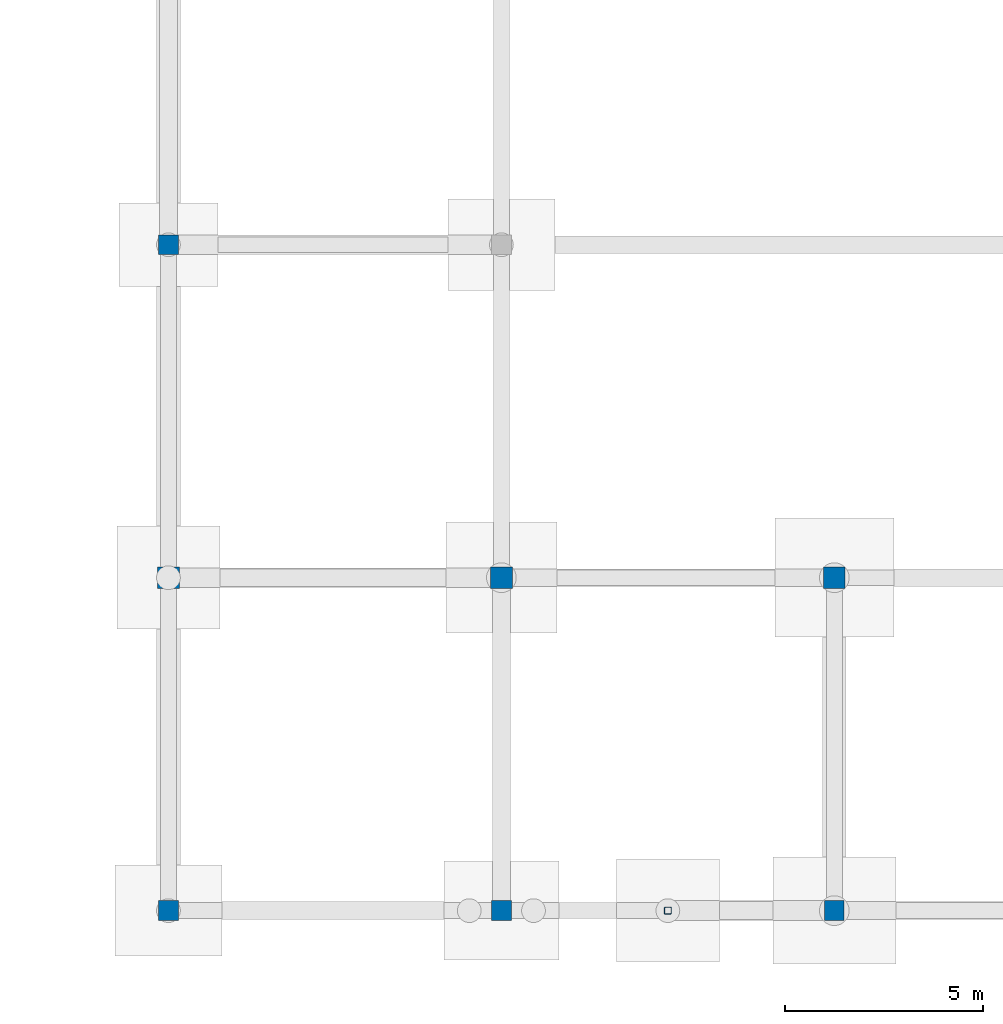
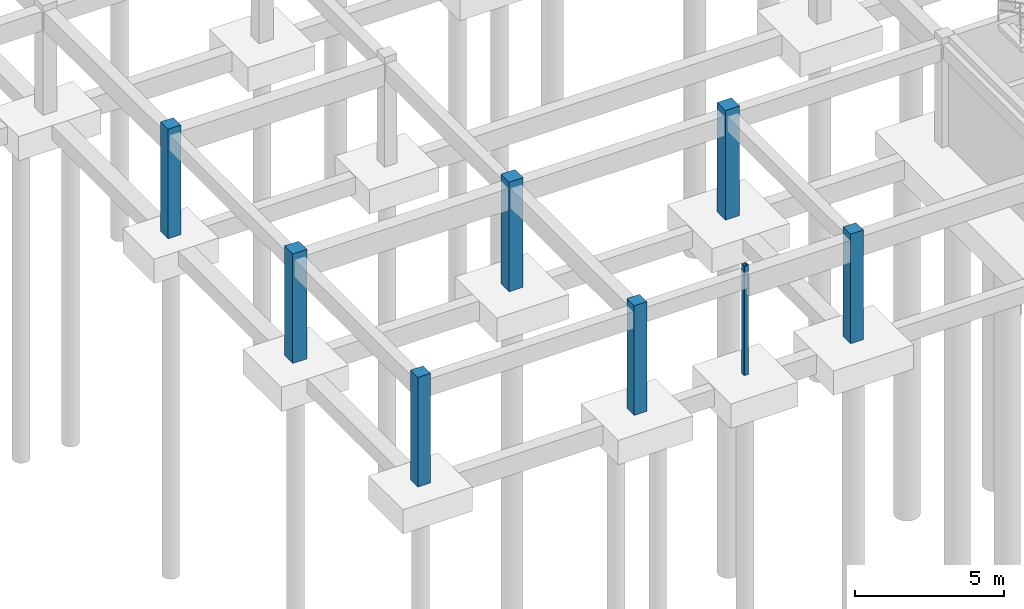
# One storey, part 12 of 43: 8 columns.
"""IFC4 building model written with IfcOpenShell, lengths in metres."""

import ifcopenshell
import ifcopenshell.guid

model = None  # the IFC model being written
_history = None  # IfcOwnerHistory: only IFC2X3 demands one
_inside = {}  # id of a spatial element -> (the spatial element, [elements in it])
_under = {}  # id of a project, library or spatial element -> (it, [spatial elements below it])
_declared = {}  # id of a project -> (the project, [libraries it declares])
_typed = {}  # id of a type object -> (the type object, [elements of that type])
_made_of = {}  # id of a material, layer set ... -> (it, [elements and type objects made of it])


def new_model(schema):
    """Start an empty IFC model of exactly this schema.

    Asked for "IFC4X3", IfcOpenShell would pick the latest addendum, in which some entities
    have other attributes; the version numbers below select the first issue.
    IFC2X3 requires an IfcOwnerHistory on every rooted entity: one is made here for all.
    """
    global model, _history
    if schema == "IFC4X3":
        model = ifcopenshell.file(schema_version=(4, 3, 0, 0))
    else:
        model = ifcopenshell.file(schema=schema)
    _inside.clear()
    _under.clear()
    _declared.clear()
    _typed.clear()
    _made_of.clear()
    _history = None
    if model.schema == "IFC2X3":
        org = make("IfcOrganization", Name="unknown")
        user = make(
            "IfcPersonAndOrganization",
            ThePerson=make("IfcPerson", FamilyName="unknown"),
            TheOrganization=org,
        )
        app = make(
            "IfcApplication",
            ApplicationDeveloper=org,
            Version="unknown",
            ApplicationFullName="unknown",
            ApplicationIdentifier="unknown",
        )
        _history = make(
            "IfcOwnerHistory",
            OwningUser=user,
            OwningApplication=app,
            ChangeAction="ADDED",
            CreationDate=0,
        )
    return model


def make(cls, **values):
    """One entity of the class cls with the attributes given. An attribute that is None is left unset."""
    return model.create_entity(
        cls, **{name: value for name, value in values.items() if value is not None}
    )


def rooted(cls, **values):
    """An entity with a GlobalId (a new one), such as an element, a storey or a relation."""
    return make(cls, GlobalId=ifcopenshell.guid.new(), OwnerHistory=_history, **values)


def si_unit(unit_type, name, prefix=None):
    """IfcSIUnit, for example si_unit("LENGTHUNIT", "METRE", prefix="MILLI")."""
    return make("IfcSIUnit", UnitType=unit_type, Prefix=prefix, Name=name)


def derived_unit(unit_type, elements):
    """IfcDerivedUnit: a product of units, each with its exponent."""
    return make(
        "IfcDerivedUnit",
        Elements=[
            make("IfcDerivedUnitElement", Unit=unit, Exponent=power)
            for unit, power in elements
        ],
        UnitType=unit_type,
    )


def assignment(units):
    """IfcUnitAssignment: the units of a project."""
    return None if units is None else make("IfcUnitAssignment", Units=units)


def point(xyz):
    """IfcCartesianPoint."""
    return None if xyz is None else make("IfcCartesianPoint", Coordinates=xyz)


def direction(xyz):
    """IfcDirection."""
    return None if xyz is None else make("IfcDirection", DirectionRatios=xyz)


def frame(location, z_axis=None, x_axis=None):
    """IfcAxis2Placement3D, a coordinate frame: its origin and axes. An axis left out is left unset."""
    return make(
        "IfcAxis2Placement3D",
        Location=point(location),
        Axis=direction(z_axis),
        RefDirection=direction(x_axis),
    )


def frame_2d(location, x_axis=None):
    """IfcAxis2Placement2D, a coordinate frame in the plane: its origin and x axis."""
    return make(
        "IfcAxis2Placement2D", Location=point(location), RefDirection=direction(x_axis)
    )


def origin():
    """The frame at (0, 0, 0) with its axes left unset."""
    return frame((0.0, 0.0, 0.0))


def origin_2d():
    """The frame at (0, 0) in the plane with its x axis left unset."""
    return frame_2d((0.0, 0.0))


def place(relative_to, where):
    """IfcLocalPlacement: puts the frame where relative to a parent placement (None: the world)."""
    return make(
        "IfcLocalPlacement", PlacementRelTo=relative_to, RelativePlacement=where
    )


def context(
    kind, dimensions, precision=None, world=None, true_north=None, identifier=None
):
    """IfcGeometricRepresentationContext, for example the 3D "Model" context."""
    return make(
        "IfcGeometricRepresentationContext",
        ContextIdentifier=identifier,
        ContextType=kind,
        CoordinateSpaceDimension=dimensions,
        Precision=precision,
        WorldCoordinateSystem=world,
        TrueNorth=true_north,
    )


def subcontext(parent, identifier, kind, view, scale=None):
    """IfcGeometricRepresentationSubContext, for example "Body" below "Model"."""
    return make(
        "IfcGeometricRepresentationSubContext",
        ContextIdentifier=identifier,
        ContextType=kind,
        ParentContext=parent,
        TargetScale=scale,
        TargetView=view,
    )


def project(units=None, contexts=None):
    """IfcProject with its units and contexts."""
    return rooted(
        "IfcProject",
        Name="project",
        RepresentationContexts=contexts,
        UnitsInContext=assignment(units),
    )


def spatial(cls, under=None, at=None, **own):
    """A site, building, storey or space (cls), placed at a placement, below another one or the project."""
    s = rooted(cls, ObjectPlacement=at, **own)
    if under is not None:
        _under.setdefault(under.id(), (under, []))[1].append(s)
    return s


def profile(cls, at=None, kind="AREA", **sizes):
    """A parametric profile (cls). Its sizes go by their IFC names, for example OverallWidth=200.0."""
    return make(cls, ProfileType=kind, Position=at, **sizes)


def rectangle(**sizes):
    """IfcRectangleProfileDef."""
    return profile("IfcRectangleProfileDef", **sizes)


def hollow_rectangle(**sizes):
    """IfcRectangleHollowProfileDef."""
    return profile("IfcRectangleHollowProfileDef", **sizes)


def extrude(swept, where, along, depth):
    """IfcExtrudedAreaSolid: the profile swept, set in the frame where, extruded along a direction by depth."""
    return make(
        "IfcExtrudedAreaSolid",
        SweptArea=swept,
        Position=where,
        ExtrudedDirection=direction(along),
        Depth=depth,
    )


def shape(context_of_items, identifier, shape_type, items):
    """IfcShapeRepresentation: the items that make up one representation, for example the "Body"."""
    return make(
        "IfcShapeRepresentation",
        ContextOfItems=context_of_items,
        RepresentationIdentifier=identifier,
        RepresentationType=shape_type,
        Items=items,
    )


def material(Name=None, Category=None):
    """IfcMaterial."""
    return make("IfcMaterial", Name=Name, Category=Category)


def material_profile(
    of_material, cross_section, Name=None, Category=None, Priority=None
):
    """IfcMaterialProfile: a cross section and its material."""
    return make(
        "IfcMaterialProfile",
        Name=Name,
        Material=of_material,
        Profile=cross_section,
        Priority=Priority,
        Category=Category,
    )


def profile_set(profiles, Name=None, composite=None):
    """IfcMaterialProfileSet."""
    return make(
        "IfcMaterialProfileSet",
        Name=Name,
        MaterialProfiles=profiles,
        CompositeProfile=composite,
    )


def made_of(thing, what):
    """Note that an element or type object is made of a material, layer set ...; save() writes the relation."""
    if what is not None:
        _made_of.setdefault(what.id(), (what, []))[1].append(thing)
    return thing


def type_object(cls, material=None, **own):
    """A type object (cls), such as IfcWallType, which elements share."""
    return made_of(rooted(cls, **own), material)


def element(
    cls,
    number,
    at=None,
    inside=None,
    cuts=None,
    type_object=None,
    material=None,
    context=None,
    identifier="Body",
    shape_type=None,
    held_by="IfcProductDefinitionShape",
    body=None,
    shapes=None,
    **own,
):
    """One element of the class cls, such as IfcWall. Its Tag is "e" and its number.

    at: its placement. inside: the storey or other place that contains it. cuts: it is an
    opening in that element (IfcRelVoidsElement). A single representation is given by context,
    identifier, shape_type and body (its items); several are given by shapes. held_by: the class
    of the entity that holds the representations. save() writes the other relations.
    """
    e = rooted(cls, Tag="e%d" % number, ObjectPlacement=at, **own)
    if body is not None:
        shapes = [shape(context, identifier, shape_type, body)]
    if shapes is not None:
        e.Representation = make(held_by, Representations=shapes)
    if inside is not None:
        _inside.setdefault(inside.id(), (inside, []))[1].append(e)
    if cuts is not None:
        rooted(
            "IfcRelVoidsElement", RelatingBuildingElement=cuts, RelatedOpeningElement=e
        )
    if type_object is not None:
        _typed.setdefault(type_object.id(), (type_object, []))[1].append(e)
    return made_of(e, material)


def aggregate(whole, parts):
    """IfcRelAggregates: a whole, such as a stair, and the parts it consists of."""
    return rooted("IfcRelAggregates", RelatingObject=whole, RelatedObjects=parts)


def save(model, path):
    """Write the relations noted so far, then the file.

    IfcRelAggregates (storeys below a building ...), IfcRelContainedInSpatialStructure (elements
    in a storey), IfcRelDefinesByType, IfcRelAssociatesMaterial and IfcRelDeclares: one each for
    every whole, place, type object, material and project.
    """
    for whole, parts in _under.values():
        aggregate(whole, parts)
    for where, things in _inside.values():
        rooted(
            "IfcRelContainedInSpatialStructure",
            RelatedElements=things,
            RelatingStructure=where,
        )
    for kind, things in _typed.values():
        rooted("IfcRelDefinesByType", RelatedObjects=things, RelatingType=kind)
    for what, things in _made_of.values():
        rooted("IfcRelAssociatesMaterial", RelatedObjects=things, RelatingMaterial=what)
    for by, libraries in _declared.values():
        rooted("IfcRelDeclares", RelatingContext=by, RelatedDefinitions=libraries)
    model.write(path)


model = new_model("IFC4")

# Units and contexts
model_context = context("Model", 3, precision=1e-05, world=origin(), true_north=direction((0.0, 1.0)))
body_context = subcontext(model_context, "Body", "Model", "MODEL_VIEW")
ifc_project = project(units=[si_unit("LENGTHUNIT", "METRE"), si_unit("AREAUNIT", "SQUARE_METRE"), si_unit("VOLUMEUNIT", "CUBIC_METRE"), si_unit("PLANEANGLEUNIT", "RADIAN"), si_unit("MASSUNIT", "GRAM", prefix="KILO"), derived_unit("THERMALTRANSMITTANCEUNIT", [(si_unit("POWERUNIT", "WATT"), 1), (si_unit("AREAUNIT", "SQUARE_METRE"), -1), (si_unit("THERMODYNAMICTEMPERATUREUNIT", "KELVIN"), -1)])], contexts=[model_context])

# Site, building, storey
site_placement = place(None, origin())
site = spatial("IfcSite", under=ifc_project, at=site_placement, CompositionType="ELEMENT")
building_placement = place(site_placement, origin())
building = spatial("IfcBuilding", under=site, at=building_placement, Name="Yasenodar Specialist Clinic", CompositionType="ELEMENT")
storey_placement = place(building_placement, frame((0.0, 0.0, -4.5)))
storey = spatial("IfcBuildingStorey", under=building, at=storey_placement, Name="B1", CompositionType="ELEMENT", Elevation=-4.5)

# Columns
ifc_material_1 = material(Name="Concrete C35/45", Category="concrete")
ifc_material_profile_1 = material_profile(ifc_material_1, rectangle(XDim=0.5, YDim=0.5, at=origin_2d()), Name="RC 500x500")
ifc_profile_set_1 = profile_set([ifc_material_profile_1], Name="Concrete C35/45")
column_type_1 = type_object("IfcColumnType", Name="COL-RC-500", PredefinedType="COLUMN", material=ifc_profile_set_1)
for number, where, z_axis, x_axis, name in (
    (1, (105.0, 0.0, 0.0), (0.0, 0.0, 1.0), (1.0, 0.0, 0.0), "B1 Column V3-117"),
    (2, (105.0, 16.800048828125, 0.0), (0.0, 0.0, 1.0), (1.0, 0.0, 0.0), "B1 Column V3-119"),
    (3, (113.39990234375, 0.0, 0.0), (0.0, 0.0, 1.0), (1.0, 0.0, 0.0), "B1 Column V3-127"),
    (4, (121.800048828125, 0.0, 0.0), (0.0, 0.0, 1.0), (1.0, 0.0, 0.0), "B1 Column V3-137"),
):
    element("IfcColumn", number, at=place(storey_placement, frame(where, z_axis=z_axis, x_axis=x_axis)), inside=storey, type_object=column_type_1, Name=name, PredefinedType="COLUMN", context=body_context, shape_type="SweptSolid", body=[
        extrude(rectangle(XDim=0.5, YDim=0.5, at=origin_2d()), origin(), (0.0, 0.0, 1.0), 4.5),
    ])
ifc_material_profile_2 = material_profile(ifc_material_1, rectangle(XDim=0.550048828125, YDim=0.550048828125, at=origin_2d()), Name="RC 550x550")
ifc_profile_set_2 = profile_set([ifc_material_profile_2], Name="Concrete C35/45")
column_type_2 = type_object("IfcColumnType", Name="COL-RC-550", PredefinedType="COLUMN", material=ifc_profile_set_2)
for number, where, z_axis, x_axis, name in (
    (5, (105.0, 8.39990234375, 0.0), (0.0, 0.0, 1.0), (1.0, 0.0, 0.0), "B1 Column V3-118"),
    (6, (113.39990234375, 8.39990234375, 0.0), (0.0, 0.0, 1.0), (1.0, 0.0, 0.0), "B1 Column V3-128"),
    (7, (121.800048828125, 8.39990234375, 0.0), (0.0, 0.0, 1.0), (1.0, 0.0, 0.0), "B1 Column V3-138"),
):
    element("IfcColumn", number, at=place(storey_placement, frame(where, z_axis=z_axis, x_axis=x_axis)), inside=storey, type_object=column_type_2, Name=name, PredefinedType="COLUMN", context=body_context, shape_type="SweptSolid", body=[
        extrude(rectangle(XDim=0.550048828125, YDim=0.550048828125, at=origin_2d()), origin(), (0.0, 0.0, 1.0), 4.5),
    ])
ifc_material_2 = material(Name="Steel S355", Category="steel")
ifc_material_profile_3 = material_profile(ifc_material_2, hollow_rectangle(XDim=0.179931640625, YDim=0.179931640625, WallThickness=0.010009765625, InnerFilletRadius=0.014892578125, OuterFilletRadius=0.02490234375, at=origin_2d()), Name="SHS 180x180x10")
ifc_profile_set_3 = profile_set([ifc_material_profile_3], Name="Steel S355")
column_type_3 = type_object("IfcColumnType", Name="PIL-ST-SHS180", PredefinedType="PILASTER", material=ifc_profile_set_3)
column_placement = place(storey_placement, frame((117.60009765625, 0.0, 0.0), z_axis=(0.0, 0.0, 1.0), x_axis=(1.0, 0.0, 0.0)))
element("IfcColumn", 8, at=column_placement, inside=storey, type_object=column_type_3, Name="B1 Arcade Pilaster 05", PredefinedType="PILASTER", context=body_context, shape_type="SweptSolid", body=[
    extrude(hollow_rectangle(XDim=0.179931640625, YDim=0.179931640625, WallThickness=0.010009765625, InnerFilletRadius=0.014892578125, OuterFilletRadius=0.02490234375, at=origin_2d()), origin(), (0.0, 0.0, 1.0), 4.5),
])

save(model, "model.ifc")
